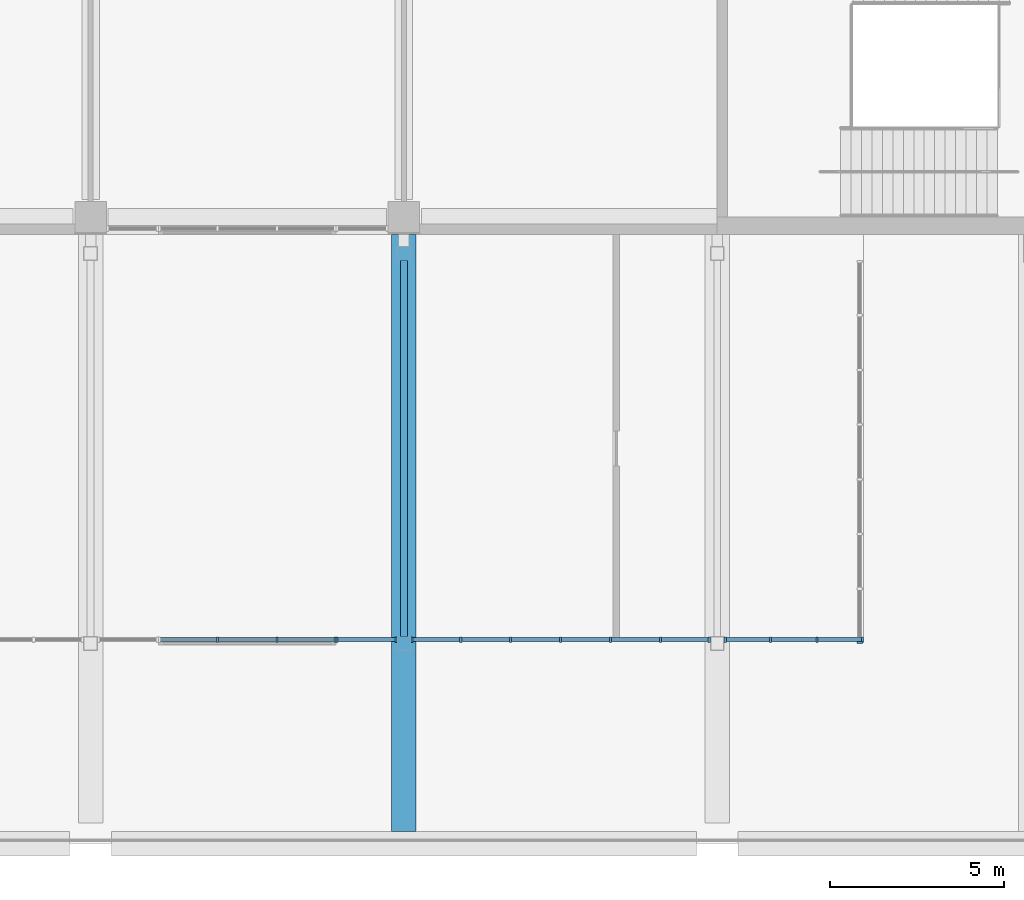
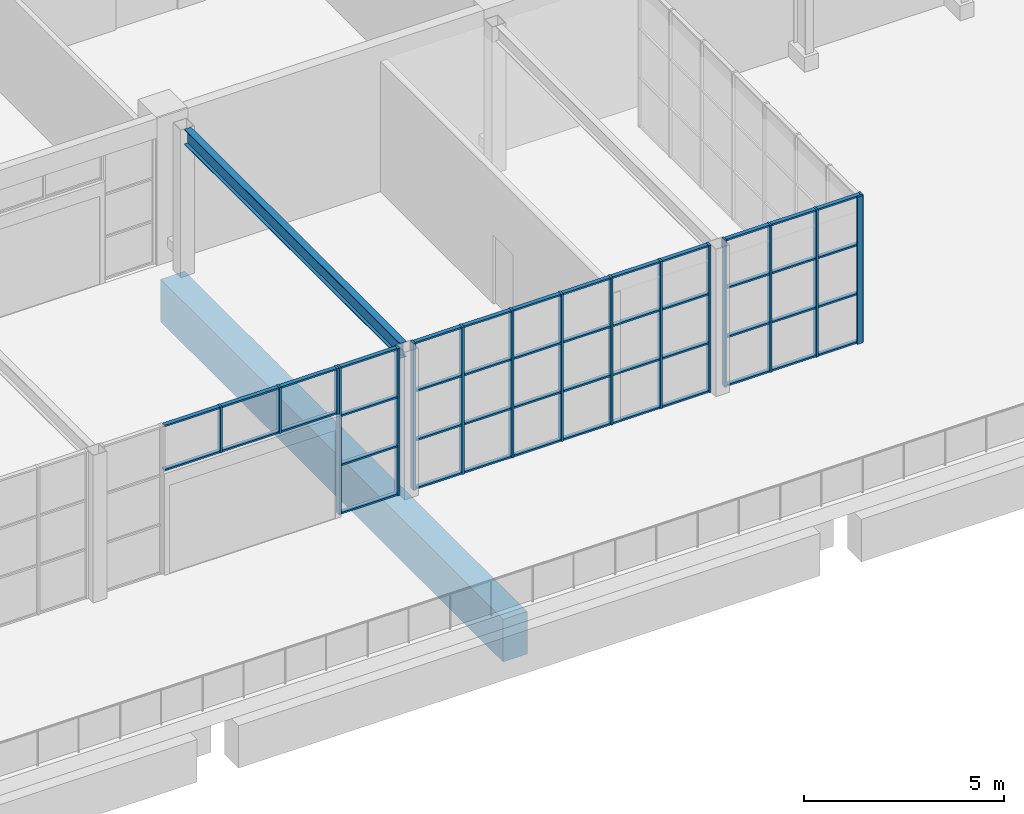
# One storey, part 43 of 168: 63 members, 2 beams, 5 elements without a shape of their own.
"""IFC4 building model written with IfcOpenShell, lengths in metres."""

from ifc_helpers import new_model, si_unit, direction, frame, origin, origin_2d, place, context, subcontext, project, spatial, rectangle, i_section, extrude, material, material_profile, profile_set, type_object, element, aggregate, save


model = new_model("IFC4")

# Units and contexts
model_context = context("Model", 3, precision=1e-05, world=origin(), true_north=direction((0.0, 1.0)))
body_context = subcontext(model_context, "Body", "Model", "MODEL_VIEW")
ifc_project = project(units=[si_unit("LENGTHUNIT", "METRE"), si_unit("AREAUNIT", "SQUARE_METRE"), si_unit("VOLUMEUNIT", "CUBIC_METRE"), si_unit("PLANEANGLEUNIT", "RADIAN"), si_unit("MASSUNIT", "GRAM", prefix="KILO")], contexts=[model_context])

# Site, building, storey
site_placement = place(None, origin())
site = spatial("IfcSite", under=ifc_project, at=site_placement, CompositionType="ELEMENT")
building_placement = place(site_placement, origin())
building = spatial("IfcBuilding", under=site, at=building_placement, Name="Silverbay Arena", CompositionType="ELEMENT")
storey_placement = place(building_placement, frame((0.0, 0.0, 7.0)))
storey = spatial("IfcBuildingStorey", under=building, at=storey_placement, Name="L01", CompositionType="ELEMENT", Elevation=7.0)

# Beam
ifc_material_1 = material(Name="Steel S355", Category="steel")
ifc_material_profile_1 = material_profile(ifc_material_1, i_section(OverallWidth=0.19287109375, OverallDepth=0.46728515625, WebThickness=0.011474609375, FlangeThickness=0.01953125, at=origin_2d()), Name="UB 457x191x98")
ifc_profile_set_1 = profile_set([ifc_material_profile_1], Name="Steel S355")
beam_type_1 = type_object("IfcBeamType", Name="Hall beam UB 457x191x98", PredefinedType="BEAM", material=ifc_profile_set_1)
beam_1_placement = place(storey_placement, frame((135.0, 16.75, 4.266357421875), z_axis=(0.0, -1.0, 0.0), x_axis=(1.0, 0.0, 0.0)))
element("IfcBeam", 1, at=beam_1_placement, inside=storey, type_object=beam_type_1, Name="South entrance hall S1 transverse beam 3L11", PredefinedType="BEAM", context=body_context, shape_type="SweptSolid", body=[
    extrude(i_section(OverallWidth=0.19287109375, OverallDepth=0.46728515625, WebThickness=0.011474609375, FlangeThickness=0.01953125, at=origin_2d()), origin(), (0.0, 0.0, 1.0), 10.800048828125),
])

# Curtain wall, members
ifc_material_2 = material(Name="Aluminium framed curtain wall", Category="aluminium")
curtain_wall_type_1 = type_object("IfcCurtainWallType", Name="Curtain wall 1750 x 4500", PredefinedType="NOTDEFINED", material=ifc_material_2)
curtain_wall_1_placement = place(storey_placement, origin())
curtain_wall_1 = element("IfcCurtainWall", 2, at=curtain_wall_1_placement, inside=storey, type_object=curtain_wall_type_1, Name="South entrance hall S1 glazing F1b", PredefinedType="NOTDEFINED")
ifc_material_3 = material(Name="Aluminium", Category="aluminium")
ifc_material_profile_2 = material_profile(ifc_material_3, rectangle(XDim=0.159912109375, YDim=0.06005859375, at=origin_2d()), Name="Mullion 60 x 160")
ifc_profile_set_2 = profile_set([ifc_material_profile_2], Name="Aluminium")
member_type_1 = type_object("IfcMemberType", Name="Mullion 60 x 160", PredefinedType="MULLION", material=ifc_profile_set_2)
member_1_placement = place(storey_placement, frame((133.080078125, 5.860107421875, 0.0), z_axis=(0.0, 0.0, 1.0), x_axis=(0.0, 1.0, 0.0)))
member_1 = element("IfcMember", 3, at=member_1_placement, type_object=member_type_1, Name="CW28 mullion 1", PredefinedType="MULLION", context=body_context, shape_type="SweptSolid", body=[
    extrude(rectangle(XDim=0.159912109375, YDim=0.06005859375, at=origin_2d()), origin(), (0.0, 0.0, 1.0), 4.5),
])
member_2_placement = place(storey_placement, frame((134.77001953125, 5.860107421875, 0.0), z_axis=(0.0, 0.0, 1.0), x_axis=(0.0, 1.0, 0.0)))
member_2 = element("IfcMember", 4, at=member_2_placement, type_object=member_type_1, Name="CW28 mullion 2", PredefinedType="MULLION", context=body_context, shape_type="SweptSolid", body=[
    extrude(rectangle(XDim=0.159912109375, YDim=0.06005859375, at=origin_2d()), origin(), (0.0, 0.0, 1.0), 4.5),
])

ifc_material_4 = material(Name="Aluminium framed curtain wall", Category="aluminium")
curtain_wall_type_2 = type_object("IfcCurtainWallType", Name="Curtain wall 8600 x 4500", PredefinedType="NOTDEFINED", material=ifc_material_4)
curtain_wall_2_placement = place(storey_placement, origin())
curtain_wall_2 = element("IfcCurtainWall", 5, at=curtain_wall_2_placement, inside=storey, type_object=curtain_wall_type_2, Name="South entrance hall S1 glazing F2", PredefinedType="NOTDEFINED")
member_3_placement = place(storey_placement, frame((135.22998046875, 5.860107421875, 0.0), z_axis=(0.0, 0.0, 1.0), x_axis=(0.0, 1.0, 0.0)))
member_3 = element("IfcMember", 6, at=member_3_placement, type_object=member_type_1, Name="CW24 mullion 1", PredefinedType="MULLION", context=body_context, shape_type="SweptSolid", body=[
    extrude(rectangle(XDim=0.159912109375, YDim=0.06005859375, at=origin_2d()), origin(), (0.0, 0.0, 1.0), 4.5),
])
member_4_placement = place(storey_placement, frame((136.63330078125, 5.860107421875, 0.0), z_axis=(0.0, 0.0, 1.0), x_axis=(0.0, 1.0, 0.0)))
member_4 = element("IfcMember", 7, at=member_4_placement, type_object=member_type_1, Name="CW24 mullion 2", PredefinedType="MULLION", context=body_context, shape_type="SweptSolid", body=[
    extrude(rectangle(XDim=0.159912109375, YDim=0.06005859375, at=origin_2d()), origin(), (0.0, 0.0, 1.0), 4.5),
])
member_5_placement = place(storey_placement, frame((138.066650390625, 5.860107421875, 0.0), z_axis=(0.0, 0.0, 1.0), x_axis=(0.0, 1.0, 0.0)))
member_5 = element("IfcMember", 8, at=member_5_placement, type_object=member_type_1, Name="CW24 mullion 3", PredefinedType="MULLION", context=body_context, shape_type="SweptSolid", body=[
    extrude(rectangle(XDim=0.159912109375, YDim=0.06005859375, at=origin_2d()), origin(), (0.0, 0.0, 1.0), 4.5),
])
member_6_placement = place(storey_placement, frame((139.5, 5.860107421875, 0.0), z_axis=(0.0, 0.0, 1.0), x_axis=(0.0, 1.0, 0.0)))
member_6 = element("IfcMember", 9, at=member_6_placement, type_object=member_type_1, Name="CW24 mullion 4", PredefinedType="MULLION", context=body_context, shape_type="SweptSolid", body=[
    extrude(rectangle(XDim=0.159912109375, YDim=0.06005859375, at=origin_2d()), origin(), (0.0, 0.0, 1.0), 4.5),
])
member_7_placement = place(storey_placement, frame((140.933349609375, 5.860107421875, 0.0), z_axis=(0.0, 0.0, 1.0), x_axis=(0.0, 1.0, 0.0)))
member_7 = element("IfcMember", 10, at=member_7_placement, type_object=member_type_1, Name="CW24 mullion 5", PredefinedType="MULLION", context=body_context, shape_type="SweptSolid", body=[
    extrude(rectangle(XDim=0.159912109375, YDim=0.06005859375, at=origin_2d()), origin(), (0.0, 0.0, 1.0), 4.5),
])
member_8_placement = place(storey_placement, frame((142.36669921875, 5.860107421875, 0.0), z_axis=(0.0, 0.0, 1.0), x_axis=(0.0, 1.0, 0.0)))
member_8 = element("IfcMember", 11, at=member_8_placement, type_object=member_type_1, Name="CW24 mullion 6", PredefinedType="MULLION", context=body_context, shape_type="SweptSolid", body=[
    extrude(rectangle(XDim=0.159912109375, YDim=0.06005859375, at=origin_2d()), origin(), (0.0, 0.0, 1.0), 4.5),
])
member_9_placement = place(storey_placement, frame((143.77001953125, 5.860107421875, 0.0), z_axis=(0.0, 0.0, 1.0), x_axis=(0.0, 1.0, 0.0)))
member_9 = element("IfcMember", 12, at=member_9_placement, type_object=member_type_1, Name="CW24 mullion 7", PredefinedType="MULLION", context=body_context, shape_type="SweptSolid", body=[
    extrude(rectangle(XDim=0.159912109375, YDim=0.06005859375, at=origin_2d()), origin(), (0.0, 0.0, 1.0), 4.5),
])

ifc_material_5 = material(Name="Aluminium framed curtain wall", Category="aluminium")
curtain_wall_type_3 = type_object("IfcCurtainWallType", Name="Curtain wall 4000 x 4500", PredefinedType="NOTDEFINED", material=ifc_material_5)
curtain_wall_3_placement = place(storey_placement, origin())
curtain_wall_3 = element("IfcCurtainWall", 13, at=curtain_wall_3_placement, inside=storey, type_object=curtain_wall_type_3, Name="South entrance hall S1 glazing F-b", PredefinedType="NOTDEFINED")
member_10_placement = place(storey_placement, frame((144.22998046875, 5.860107421875, 0.0), z_axis=(0.0, 0.0, 1.0), x_axis=(0.0, 1.0, 0.0)))
member_10 = element("IfcMember", 14, at=member_10_placement, type_object=member_type_1, Name="CW32 mullion 1", PredefinedType="MULLION", context=body_context, shape_type="SweptSolid", body=[
    extrude(rectangle(XDim=0.159912109375, YDim=0.06005859375, at=origin_2d()), origin(), (0.0, 0.0, 1.0), 4.5),
])
member_11_placement = place(storey_placement, frame((145.533447265625, 5.860107421875, 0.0), z_axis=(0.0, 0.0, 1.0), x_axis=(0.0, 1.0, 0.0)))
member_11 = element("IfcMember", 15, at=member_11_placement, type_object=member_type_1, Name="CW32 mullion 2", PredefinedType="MULLION", context=body_context, shape_type="SweptSolid", body=[
    extrude(rectangle(XDim=0.159912109375, YDim=0.06005859375, at=origin_2d()), origin(), (0.0, 0.0, 1.0), 4.5),
])
member_12_placement = place(storey_placement, frame((146.86669921875, 5.860107421875, 0.0), z_axis=(0.0, 0.0, 1.0), x_axis=(0.0, 1.0, 0.0)))
member_12 = element("IfcMember", 16, at=member_12_placement, type_object=member_type_1, Name="CW32 mullion 3", PredefinedType="MULLION", context=body_context, shape_type="SweptSolid", body=[
    extrude(rectangle(XDim=0.159912109375, YDim=0.06005859375, at=origin_2d()), origin(), (0.0, 0.0, 1.0), 4.5),
])
member_13_placement = place(storey_placement, frame((148.169921875, 5.860107421875, 0.0), z_axis=(0.0, 0.0, 1.0), x_axis=(0.0, 1.0, 0.0)))
member_13 = element("IfcMember", 17, at=member_13_placement, type_object=member_type_1, Name="CW32 mullion 4", PredefinedType="MULLION", context=body_context, shape_type="SweptSolid", body=[
    extrude(rectangle(XDim=0.159912109375, YDim=0.06005859375, at=origin_2d()), origin(), (0.0, 0.0, 1.0), 4.5),
])

# Curtain wall, member
ifc_material_6 = material(Name="Aluminium framed curtain wall", Category="aluminium")
curtain_wall_type_4 = type_object("IfcCurtainWallType", Name="Curtain wall 11000 x 4500", PredefinedType="NOTDEFINED", material=ifc_material_6)
curtain_wall_4_placement = place(storey_placement, origin())
curtain_wall_4 = element("IfcCurtainWall", 18, at=curtain_wall_4_placement, inside=storey, type_object=curtain_wall_type_4, Name="South entrance hall S1 glazing SB", PredefinedType="NOTDEFINED")
member_14_placement = place(storey_placement, frame((148.090087890625, 5.780029296875, 0.0), z_axis=(0.0, 0.0, 1.0), x_axis=(-1.0, 0.0, 0.0)))
member_14 = element("IfcMember", 19, at=member_14_placement, type_object=member_type_1, Name="CW36 mullion 1", PredefinedType="MULLION", context=body_context, shape_type="SweptSolid", body=[
    extrude(rectangle(XDim=0.159912109375, YDim=0.06005859375, at=origin_2d()), origin(), (0.0, 0.0, 1.0), 4.5),
])
aggregate(curtain_wall_4, [member_14])

# Curtain wall, members
ifc_material_7 = material(Name="Aluminium framed curtain wall", Category="aluminium")
curtain_wall_type_5 = type_object("IfcCurtainWallType", Name="Curtain wall 5100 x 1400", PredefinedType="NOTDEFINED", material=ifc_material_7)
curtain_wall_5_placement = place(storey_placement, origin())
curtain_wall_5 = element("IfcCurtainWall", 20, at=curtain_wall_5_placement, inside=storey, type_object=curtain_wall_type_5, Name="South entrance hall S1 glazing over the door", PredefinedType="NOTDEFINED")
member_15_placement = place(storey_placement, frame((129.64990234375, 5.860107421875, 3.10009765625), z_axis=(0.0, 0.0, 1.0), x_axis=(0.0, 1.0, 0.0)))
member_15 = element("IfcMember", 21, at=member_15_placement, type_object=member_type_1, Name="CW39 mullion 2", PredefinedType="MULLION", context=body_context, shape_type="SweptSolid", body=[
    extrude(rectangle(XDim=0.159912109375, YDim=0.06005859375, at=origin_2d()), origin(), (0.0, 0.0, 1.0), 1.39990234375),
])
member_16_placement = place(storey_placement, frame((131.35009765625, 5.860107421875, 3.10009765625), z_axis=(0.0, 0.0, 1.0), x_axis=(0.0, 1.0, 0.0)))
member_16 = element("IfcMember", 22, at=member_16_placement, type_object=member_type_1, Name="CW39 mullion 3", PredefinedType="MULLION", context=body_context, shape_type="SweptSolid", body=[
    extrude(rectangle(XDim=0.159912109375, YDim=0.06005859375, at=origin_2d()), origin(), (0.0, 0.0, 1.0), 1.39990234375),
])
member_17_placement = place(storey_placement, frame((133.02001953125, 5.860107421875, 3.10009765625), z_axis=(0.0, 0.0, 1.0), x_axis=(0.0, 1.0, 0.0)))
member_17 = element("IfcMember", 23, at=member_17_placement, type_object=member_type_1, Name="CW39 mullion 4", PredefinedType="MULLION", context=body_context, shape_type="SweptSolid", body=[
    extrude(rectangle(XDim=0.159912109375, YDim=0.06005859375, at=origin_2d()), origin(), (0.0, 0.0, 1.0), 1.39990234375),
])

# Beam
ifc_material_8 = material(Name="Concrete Grade C45", Category="concrete")
ifc_material_profile_3 = material_profile(ifc_material_8, rectangle(XDim=0.699951171875, YDim=1.300048828125, at=origin_2d()), Name="RC 700x1300")
ifc_profile_set_3 = profile_set([ifc_material_profile_3], Name="Concrete Grade C45")
beam_type_2 = type_object("IfcBeamType", Name="RC girder 700x1300", PredefinedType="BEAM", material=ifc_profile_set_3)
beam_2_placement = place(storey_placement, frame((135.0, 0.35009765625, -1.10009765625), z_axis=(0.0, 1.0, 0.0), x_axis=(-1.0, 0.0, 0.0)))
element("IfcBeam", 24, at=beam_2_placement, inside=storey, type_object=beam_type_2, Name="Deck secondary beam 121", PredefinedType="BEAM", context=body_context, shape_type="SweptSolid", body=[
    extrude(rectangle(XDim=0.699951171875, YDim=1.300048828125, at=origin_2d()), origin(), (0.0, 0.0, 1.0), 17.14990234375),
])

# Member
ifc_material_9 = material(Name="Aluminium", Category="aluminium")
ifc_material_profile_4 = material_profile(ifc_material_9, rectangle(XDim=0.1201171875, YDim=0.050048828125, at=origin_2d()), Name="Transom 50 x 120")
ifc_profile_set_4 = profile_set([ifc_material_profile_4], Name="Aluminium")
member_type_2 = type_object("IfcMemberType", Name="Transom 50 x 120", PredefinedType="USERDEFINED", material=ifc_profile_set_4)
member_18_placement = place(storey_placement, frame((133.110107421875, 5.860107421875, 0.02490234375), z_axis=(1.0, 0.0, 0.0), x_axis=(0.0, 1.0, 0.0)))
member_18 = element("IfcMember", 25, at=member_18_placement, type_object=member_type_2, Name="CW28 transom 1.1", ObjectType="TRANSOM", PredefinedType="USERDEFINED", context=body_context, shape_type="SweptSolid", body=[
    extrude(rectangle(XDim=0.1201171875, YDim=0.050048828125, at=origin_2d()), origin(), (0.0, 0.0, 1.0), 1.6298828125),
])

member_19_placement = place(storey_placement, frame((133.110107421875, 5.860107421875, 1.5), z_axis=(1.0, 0.0, 0.0), x_axis=(0.0, 1.0, 0.0)))
member_19 = element("IfcMember", 26, at=member_19_placement, type_object=member_type_2, Name="CW28 transom 1.2", ObjectType="TRANSOM", PredefinedType="USERDEFINED", context=body_context, shape_type="SweptSolid", body=[
    extrude(rectangle(XDim=0.1201171875, YDim=0.050048828125, at=origin_2d()), origin(), (0.0, 0.0, 1.0), 1.6298828125),
])

member_20_placement = place(storey_placement, frame((133.110107421875, 5.860107421875, 3.0), z_axis=(1.0, 0.0, 0.0), x_axis=(0.0, 1.0, 0.0)))
member_20 = element("IfcMember", 27, at=member_20_placement, type_object=member_type_2, Name="CW28 transom 1.3", ObjectType="TRANSOM", PredefinedType="USERDEFINED", context=body_context, shape_type="SweptSolid", body=[
    extrude(rectangle(XDim=0.1201171875, YDim=0.050048828125, at=origin_2d()), origin(), (0.0, 0.0, 1.0), 1.6298828125),
])

member_21_placement = place(storey_placement, frame((133.110107421875, 5.860107421875, 4.47509765625), z_axis=(1.0, 0.0, 0.0), x_axis=(0.0, 1.0, 0.0)))
member_21 = element("IfcMember", 28, at=member_21_placement, type_object=member_type_2, Name="CW28 transom 1.4", ObjectType="TRANSOM", PredefinedType="USERDEFINED", context=body_context, shape_type="SweptSolid", body=[
    extrude(rectangle(XDim=0.1201171875, YDim=0.050048828125, at=origin_2d()), origin(), (0.0, 0.0, 1.0), 1.6298828125),
])

aggregate(curtain_wall_1, [member_1, member_2, member_18, member_19, member_20, member_21])

member_22_placement = place(storey_placement, frame((135.260009765625, 5.860107421875, 0.02490234375), z_axis=(1.0, 0.0, 0.0), x_axis=(0.0, 1.0, 0.0)))
member_22 = element("IfcMember", 29, at=member_22_placement, type_object=member_type_2, Name="CW24 transom 1.1", ObjectType="TRANSOM", PredefinedType="USERDEFINED", context=body_context, shape_type="SweptSolid", body=[
    extrude(rectangle(XDim=0.1201171875, YDim=0.050048828125, at=origin_2d()), origin(), (0.0, 0.0, 1.0), 1.34326171875),
])

member_23_placement = place(storey_placement, frame((135.260009765625, 5.860107421875, 1.5), z_axis=(1.0, 0.0, 0.0), x_axis=(0.0, 1.0, 0.0)))
member_23 = element("IfcMember", 30, at=member_23_placement, type_object=member_type_2, Name="CW24 transom 1.2", ObjectType="TRANSOM", PredefinedType="USERDEFINED", context=body_context, shape_type="SweptSolid", body=[
    extrude(rectangle(XDim=0.1201171875, YDim=0.050048828125, at=origin_2d()), origin(), (0.0, 0.0, 1.0), 1.34326171875),
])

member_24_placement = place(storey_placement, frame((135.260009765625, 5.860107421875, 3.0), z_axis=(1.0, 0.0, 0.0), x_axis=(0.0, 1.0, 0.0)))
member_24 = element("IfcMember", 31, at=member_24_placement, type_object=member_type_2, Name="CW24 transom 1.3", ObjectType="TRANSOM", PredefinedType="USERDEFINED", context=body_context, shape_type="SweptSolid", body=[
    extrude(rectangle(XDim=0.1201171875, YDim=0.050048828125, at=origin_2d()), origin(), (0.0, 0.0, 1.0), 1.34326171875),
])

member_25_placement = place(storey_placement, frame((135.260009765625, 5.860107421875, 4.47509765625), z_axis=(1.0, 0.0, 0.0), x_axis=(0.0, 1.0, 0.0)))
member_25 = element("IfcMember", 32, at=member_25_placement, type_object=member_type_2, Name="CW24 transom 1.4", ObjectType="TRANSOM", PredefinedType="USERDEFINED", context=body_context, shape_type="SweptSolid", body=[
    extrude(rectangle(XDim=0.1201171875, YDim=0.050048828125, at=origin_2d()), origin(), (0.0, 0.0, 1.0), 1.34326171875),
])

member_26_placement = place(storey_placement, frame((136.663330078125, 5.860107421875, 0.02490234375), z_axis=(1.0, 0.0, 0.0), x_axis=(0.0, 1.0, 0.0)))
member_26 = element("IfcMember", 33, at=member_26_placement, type_object=member_type_2, Name="CW24 transom 2.1", ObjectType="TRANSOM", PredefinedType="USERDEFINED", context=body_context, shape_type="SweptSolid", body=[
    extrude(rectangle(XDim=0.1201171875, YDim=0.050048828125, at=origin_2d()), origin(), (0.0, 0.0, 1.0), 1.373291015625),
])

member_27_placement = place(storey_placement, frame((136.663330078125, 5.860107421875, 1.5), z_axis=(1.0, 0.0, 0.0), x_axis=(0.0, 1.0, 0.0)))
member_27 = element("IfcMember", 34, at=member_27_placement, type_object=member_type_2, Name="CW24 transom 2.2", ObjectType="TRANSOM", PredefinedType="USERDEFINED", context=body_context, shape_type="SweptSolid", body=[
    extrude(rectangle(XDim=0.1201171875, YDim=0.050048828125, at=origin_2d()), origin(), (0.0, 0.0, 1.0), 1.373291015625),
])

member_28_placement = place(storey_placement, frame((136.663330078125, 5.860107421875, 3.0), z_axis=(1.0, 0.0, 0.0), x_axis=(0.0, 1.0, 0.0)))
member_28 = element("IfcMember", 35, at=member_28_placement, type_object=member_type_2, Name="CW24 transom 2.3", ObjectType="TRANSOM", PredefinedType="USERDEFINED", context=body_context, shape_type="SweptSolid", body=[
    extrude(rectangle(XDim=0.1201171875, YDim=0.050048828125, at=origin_2d()), origin(), (0.0, 0.0, 1.0), 1.373291015625),
])

member_29_placement = place(storey_placement, frame((136.663330078125, 5.860107421875, 4.47509765625), z_axis=(1.0, 0.0, 0.0), x_axis=(0.0, 1.0, 0.0)))
member_29 = element("IfcMember", 36, at=member_29_placement, type_object=member_type_2, Name="CW24 transom 2.4", ObjectType="TRANSOM", PredefinedType="USERDEFINED", context=body_context, shape_type="SweptSolid", body=[
    extrude(rectangle(XDim=0.1201171875, YDim=0.050048828125, at=origin_2d()), origin(), (0.0, 0.0, 1.0), 1.373291015625),
])

member_30_placement = place(storey_placement, frame((138.0966796875, 5.860107421875, 0.02490234375), z_axis=(1.0, 0.0, 0.0), x_axis=(0.0, 1.0, 0.0)))
member_30 = element("IfcMember", 37, at=member_30_placement, type_object=member_type_2, Name="CW24 transom 3.1", ObjectType="TRANSOM", PredefinedType="USERDEFINED", context=body_context, shape_type="SweptSolid", body=[
    extrude(rectangle(XDim=0.1201171875, YDim=0.050048828125, at=origin_2d()), origin(), (0.0, 0.0, 1.0), 1.373291015625),
])

member_31_placement = place(storey_placement, frame((138.0966796875, 5.860107421875, 1.5), z_axis=(1.0, 0.0, 0.0), x_axis=(0.0, 1.0, 0.0)))
member_31 = element("IfcMember", 38, at=member_31_placement, type_object=member_type_2, Name="CW24 transom 3.2", ObjectType="TRANSOM", PredefinedType="USERDEFINED", context=body_context, shape_type="SweptSolid", body=[
    extrude(rectangle(XDim=0.1201171875, YDim=0.050048828125, at=origin_2d()), origin(), (0.0, 0.0, 1.0), 1.373291015625),
])

member_32_placement = place(storey_placement, frame((138.0966796875, 5.860107421875, 3.0), z_axis=(1.0, 0.0, 0.0), x_axis=(0.0, 1.0, 0.0)))
member_32 = element("IfcMember", 39, at=member_32_placement, type_object=member_type_2, Name="CW24 transom 3.3", ObjectType="TRANSOM", PredefinedType="USERDEFINED", context=body_context, shape_type="SweptSolid", body=[
    extrude(rectangle(XDim=0.1201171875, YDim=0.050048828125, at=origin_2d()), origin(), (0.0, 0.0, 1.0), 1.373291015625),
])

member_33_placement = place(storey_placement, frame((138.0966796875, 5.860107421875, 4.47509765625), z_axis=(1.0, 0.0, 0.0), x_axis=(0.0, 1.0, 0.0)))
member_33 = element("IfcMember", 40, at=member_33_placement, type_object=member_type_2, Name="CW24 transom 3.4", ObjectType="TRANSOM", PredefinedType="USERDEFINED", context=body_context, shape_type="SweptSolid", body=[
    extrude(rectangle(XDim=0.1201171875, YDim=0.050048828125, at=origin_2d()), origin(), (0.0, 0.0, 1.0), 1.373291015625),
])

member_34_placement = place(storey_placement, frame((139.530029296875, 5.860107421875, 0.02490234375), z_axis=(1.0, 0.0, 0.0), x_axis=(0.0, 1.0, 0.0)))
member_34 = element("IfcMember", 41, at=member_34_placement, type_object=member_type_2, Name="CW24 transom 4.1", ObjectType="TRANSOM", PredefinedType="USERDEFINED", context=body_context, shape_type="SweptSolid", body=[
    extrude(rectangle(XDim=0.1201171875, YDim=0.050048828125, at=origin_2d()), origin(), (0.0, 0.0, 1.0), 1.373291015625),
])

member_35_placement = place(storey_placement, frame((139.530029296875, 5.860107421875, 1.5), z_axis=(1.0, 0.0, 0.0), x_axis=(0.0, 1.0, 0.0)))
member_35 = element("IfcMember", 42, at=member_35_placement, type_object=member_type_2, Name="CW24 transom 4.2", ObjectType="TRANSOM", PredefinedType="USERDEFINED", context=body_context, shape_type="SweptSolid", body=[
    extrude(rectangle(XDim=0.1201171875, YDim=0.050048828125, at=origin_2d()), origin(), (0.0, 0.0, 1.0), 1.373291015625),
])

member_36_placement = place(storey_placement, frame((139.530029296875, 5.860107421875, 3.0), z_axis=(1.0, 0.0, 0.0), x_axis=(0.0, 1.0, 0.0)))
member_36 = element("IfcMember", 43, at=member_36_placement, type_object=member_type_2, Name="CW24 transom 4.3", ObjectType="TRANSOM", PredefinedType="USERDEFINED", context=body_context, shape_type="SweptSolid", body=[
    extrude(rectangle(XDim=0.1201171875, YDim=0.050048828125, at=origin_2d()), origin(), (0.0, 0.0, 1.0), 1.373291015625),
])

member_37_placement = place(storey_placement, frame((139.530029296875, 5.860107421875, 4.47509765625), z_axis=(1.0, 0.0, 0.0), x_axis=(0.0, 1.0, 0.0)))
member_37 = element("IfcMember", 44, at=member_37_placement, type_object=member_type_2, Name="CW24 transom 4.4", ObjectType="TRANSOM", PredefinedType="USERDEFINED", context=body_context, shape_type="SweptSolid", body=[
    extrude(rectangle(XDim=0.1201171875, YDim=0.050048828125, at=origin_2d()), origin(), (0.0, 0.0, 1.0), 1.373291015625),
])

member_38_placement = place(storey_placement, frame((140.96337890625, 5.860107421875, 0.02490234375), z_axis=(1.0, 0.0, 0.0), x_axis=(0.0, 1.0, 0.0)))
member_38 = element("IfcMember", 45, at=member_38_placement, type_object=member_type_2, Name="CW24 transom 5.1", ObjectType="TRANSOM", PredefinedType="USERDEFINED", context=body_context, shape_type="SweptSolid", body=[
    extrude(rectangle(XDim=0.1201171875, YDim=0.050048828125, at=origin_2d()), origin(), (0.0, 0.0, 1.0), 1.373291015625),
])

member_39_placement = place(storey_placement, frame((140.96337890625, 5.860107421875, 1.5), z_axis=(1.0, 0.0, 0.0), x_axis=(0.0, 1.0, 0.0)))
member_39 = element("IfcMember", 46, at=member_39_placement, type_object=member_type_2, Name="CW24 transom 5.2", ObjectType="TRANSOM", PredefinedType="USERDEFINED", context=body_context, shape_type="SweptSolid", body=[
    extrude(rectangle(XDim=0.1201171875, YDim=0.050048828125, at=origin_2d()), origin(), (0.0, 0.0, 1.0), 1.373291015625),
])

member_40_placement = place(storey_placement, frame((140.96337890625, 5.860107421875, 3.0), z_axis=(1.0, 0.0, 0.0), x_axis=(0.0, 1.0, 0.0)))
member_40 = element("IfcMember", 47, at=member_40_placement, type_object=member_type_2, Name="CW24 transom 5.3", ObjectType="TRANSOM", PredefinedType="USERDEFINED", context=body_context, shape_type="SweptSolid", body=[
    extrude(rectangle(XDim=0.1201171875, YDim=0.050048828125, at=origin_2d()), origin(), (0.0, 0.0, 1.0), 1.373291015625),
])

member_41_placement = place(storey_placement, frame((140.96337890625, 5.860107421875, 4.47509765625), z_axis=(1.0, 0.0, 0.0), x_axis=(0.0, 1.0, 0.0)))
member_41 = element("IfcMember", 48, at=member_41_placement, type_object=member_type_2, Name="CW24 transom 5.4", ObjectType="TRANSOM", PredefinedType="USERDEFINED", context=body_context, shape_type="SweptSolid", body=[
    extrude(rectangle(XDim=0.1201171875, YDim=0.050048828125, at=origin_2d()), origin(), (0.0, 0.0, 1.0), 1.373291015625),
])

member_42_placement = place(storey_placement, frame((142.396728515625, 5.860107421875, 0.02490234375), z_axis=(1.0, 0.0, 0.0), x_axis=(0.0, 1.0, 0.0)))
member_42 = element("IfcMember", 49, at=member_42_placement, type_object=member_type_2, Name="CW24 transom 6.1", ObjectType="TRANSOM", PredefinedType="USERDEFINED", context=body_context, shape_type="SweptSolid", body=[
    extrude(rectangle(XDim=0.1201171875, YDim=0.050048828125, at=origin_2d()), origin(), (0.0, 0.0, 1.0), 1.34326171875),
])

member_43_placement = place(storey_placement, frame((142.396728515625, 5.860107421875, 1.5), z_axis=(1.0, 0.0, 0.0), x_axis=(0.0, 1.0, 0.0)))
member_43 = element("IfcMember", 50, at=member_43_placement, type_object=member_type_2, Name="CW24 transom 6.2", ObjectType="TRANSOM", PredefinedType="USERDEFINED", context=body_context, shape_type="SweptSolid", body=[
    extrude(rectangle(XDim=0.1201171875, YDim=0.050048828125, at=origin_2d()), origin(), (0.0, 0.0, 1.0), 1.34326171875),
])

member_44_placement = place(storey_placement, frame((142.396728515625, 5.860107421875, 3.0), z_axis=(1.0, 0.0, 0.0), x_axis=(0.0, 1.0, 0.0)))
member_44 = element("IfcMember", 51, at=member_44_placement, type_object=member_type_2, Name="CW24 transom 6.3", ObjectType="TRANSOM", PredefinedType="USERDEFINED", context=body_context, shape_type="SweptSolid", body=[
    extrude(rectangle(XDim=0.1201171875, YDim=0.050048828125, at=origin_2d()), origin(), (0.0, 0.0, 1.0), 1.34326171875),
])

member_45_placement = place(storey_placement, frame((142.396728515625, 5.860107421875, 4.47509765625), z_axis=(1.0, 0.0, 0.0), x_axis=(0.0, 1.0, 0.0)))
member_45 = element("IfcMember", 52, at=member_45_placement, type_object=member_type_2, Name="CW24 transom 6.4", ObjectType="TRANSOM", PredefinedType="USERDEFINED", context=body_context, shape_type="SweptSolid", body=[
    extrude(rectangle(XDim=0.1201171875, YDim=0.050048828125, at=origin_2d()), origin(), (0.0, 0.0, 1.0), 1.34326171875),
])

aggregate(curtain_wall_2, [member_3, member_4, member_5, member_6, member_7, member_8, member_9, member_22, member_23, member_24, member_25, member_26, member_27, member_28, member_29, member_30, member_31, member_32, member_33, member_34, member_35, member_36, member_37, member_38, member_39, member_40, member_41, member_42, member_43, member_44, member_45])

member_46_placement = place(storey_placement, frame((144.260009765625, 5.860107421875, 0.02490234375), z_axis=(1.0, 0.0, 0.0), x_axis=(0.0, 1.0, 0.0)))
member_46 = element("IfcMember", 53, at=member_46_placement, type_object=member_type_2, Name="CW32 transom 1.1", ObjectType="TRANSOM", PredefinedType="USERDEFINED", context=body_context, shape_type="SweptSolid", body=[
    extrude(rectangle(XDim=0.1201171875, YDim=0.050048828125, at=origin_2d()), origin(), (0.0, 0.0, 1.0), 1.243408203125),
])

member_47_placement = place(storey_placement, frame((144.260009765625, 5.860107421875, 1.5), z_axis=(1.0, 0.0, 0.0), x_axis=(0.0, 1.0, 0.0)))
member_47 = element("IfcMember", 54, at=member_47_placement, type_object=member_type_2, Name="CW32 transom 1.2", ObjectType="TRANSOM", PredefinedType="USERDEFINED", context=body_context, shape_type="SweptSolid", body=[
    extrude(rectangle(XDim=0.1201171875, YDim=0.050048828125, at=origin_2d()), origin(), (0.0, 0.0, 1.0), 1.243408203125),
])

member_48_placement = place(storey_placement, frame((144.260009765625, 5.860107421875, 3.0), z_axis=(1.0, 0.0, 0.0), x_axis=(0.0, 1.0, 0.0)))
member_48 = element("IfcMember", 55, at=member_48_placement, type_object=member_type_2, Name="CW32 transom 1.3", ObjectType="TRANSOM", PredefinedType="USERDEFINED", context=body_context, shape_type="SweptSolid", body=[
    extrude(rectangle(XDim=0.1201171875, YDim=0.050048828125, at=origin_2d()), origin(), (0.0, 0.0, 1.0), 1.243408203125),
])

member_49_placement = place(storey_placement, frame((144.260009765625, 5.860107421875, 4.47509765625), z_axis=(1.0, 0.0, 0.0), x_axis=(0.0, 1.0, 0.0)))
member_49 = element("IfcMember", 56, at=member_49_placement, type_object=member_type_2, Name="CW32 transom 1.4", ObjectType="TRANSOM", PredefinedType="USERDEFINED", context=body_context, shape_type="SweptSolid", body=[
    extrude(rectangle(XDim=0.1201171875, YDim=0.050048828125, at=origin_2d()), origin(), (0.0, 0.0, 1.0), 1.243408203125),
])

member_50_placement = place(storey_placement, frame((145.563232421875, 5.860107421875, 0.02490234375), z_axis=(1.0, 0.0, 0.0), x_axis=(0.0, 1.0, 0.0)))
member_50 = element("IfcMember", 57, at=member_50_placement, type_object=member_type_2, Name="CW32 transom 2.1", ObjectType="TRANSOM", PredefinedType="USERDEFINED", context=body_context, shape_type="SweptSolid", body=[
    extrude(rectangle(XDim=0.1201171875, YDim=0.050048828125, at=origin_2d()), origin(), (0.0, 0.0, 1.0), 1.2734375),
])

member_51_placement = place(storey_placement, frame((145.563232421875, 5.860107421875, 1.5), z_axis=(1.0, 0.0, 0.0), x_axis=(0.0, 1.0, 0.0)))
member_51 = element("IfcMember", 58, at=member_51_placement, type_object=member_type_2, Name="CW32 transom 2.2", ObjectType="TRANSOM", PredefinedType="USERDEFINED", context=body_context, shape_type="SweptSolid", body=[
    extrude(rectangle(XDim=0.1201171875, YDim=0.050048828125, at=origin_2d()), origin(), (0.0, 0.0, 1.0), 1.2734375),
])

member_52_placement = place(storey_placement, frame((145.563232421875, 5.860107421875, 3.0), z_axis=(1.0, 0.0, 0.0), x_axis=(0.0, 1.0, 0.0)))
member_52 = element("IfcMember", 59, at=member_52_placement, type_object=member_type_2, Name="CW32 transom 2.3", ObjectType="TRANSOM", PredefinedType="USERDEFINED", context=body_context, shape_type="SweptSolid", body=[
    extrude(rectangle(XDim=0.1201171875, YDim=0.050048828125, at=origin_2d()), origin(), (0.0, 0.0, 1.0), 1.2734375),
])

member_53_placement = place(storey_placement, frame((145.563232421875, 5.860107421875, 4.47509765625), z_axis=(1.0, 0.0, 0.0), x_axis=(0.0, 1.0, 0.0)))
member_53 = element("IfcMember", 60, at=member_53_placement, type_object=member_type_2, Name="CW32 transom 2.4", ObjectType="TRANSOM", PredefinedType="USERDEFINED", context=body_context, shape_type="SweptSolid", body=[
    extrude(rectangle(XDim=0.1201171875, YDim=0.050048828125, at=origin_2d()), origin(), (0.0, 0.0, 1.0), 1.2734375),
])

member_54_placement = place(storey_placement, frame((146.896728515625, 5.860107421875, 0.02490234375), z_axis=(1.0, 0.0, 0.0), x_axis=(0.0, 1.0, 0.0)))
member_54 = element("IfcMember", 61, at=member_54_placement, type_object=member_type_2, Name="CW32 transom 3.1", ObjectType="TRANSOM", PredefinedType="USERDEFINED", context=body_context, shape_type="SweptSolid", body=[
    extrude(rectangle(XDim=0.1201171875, YDim=0.050048828125, at=origin_2d()), origin(), (0.0, 0.0, 1.0), 1.2431640625),
])

member_55_placement = place(storey_placement, frame((146.896728515625, 5.860107421875, 1.5), z_axis=(1.0, 0.0, 0.0), x_axis=(0.0, 1.0, 0.0)))
member_55 = element("IfcMember", 62, at=member_55_placement, type_object=member_type_2, Name="CW32 transom 3.2", ObjectType="TRANSOM", PredefinedType="USERDEFINED", context=body_context, shape_type="SweptSolid", body=[
    extrude(rectangle(XDim=0.1201171875, YDim=0.050048828125, at=origin_2d()), origin(), (0.0, 0.0, 1.0), 1.2431640625),
])

member_56_placement = place(storey_placement, frame((146.896728515625, 5.860107421875, 3.0), z_axis=(1.0, 0.0, 0.0), x_axis=(0.0, 1.0, 0.0)))
member_56 = element("IfcMember", 63, at=member_56_placement, type_object=member_type_2, Name="CW32 transom 3.3", ObjectType="TRANSOM", PredefinedType="USERDEFINED", context=body_context, shape_type="SweptSolid", body=[
    extrude(rectangle(XDim=0.1201171875, YDim=0.050048828125, at=origin_2d()), origin(), (0.0, 0.0, 1.0), 1.2431640625),
])

member_57_placement = place(storey_placement, frame((146.896728515625, 5.860107421875, 4.47509765625), z_axis=(1.0, 0.0, 0.0), x_axis=(0.0, 1.0, 0.0)))
member_57 = element("IfcMember", 64, at=member_57_placement, type_object=member_type_2, Name="CW32 transom 3.4", ObjectType="TRANSOM", PredefinedType="USERDEFINED", context=body_context, shape_type="SweptSolid", body=[
    extrude(rectangle(XDim=0.1201171875, YDim=0.050048828125, at=origin_2d()), origin(), (0.0, 0.0, 1.0), 1.2431640625),
])

aggregate(curtain_wall_3, [member_10, member_11, member_12, member_13, member_46, member_47, member_48, member_49, member_50, member_51, member_52, member_53, member_54, member_55, member_56, member_57])

member_58_placement = place(storey_placement, frame((128.010009765625, 5.860107421875, 3.125), z_axis=(1.0, 0.0, 0.0), x_axis=(0.0, 1.0, 0.0)))
member_58 = element("IfcMember", 65, at=member_58_placement, type_object=member_type_2, Name="CW39 transom 1.1", ObjectType="TRANSOM", PredefinedType="USERDEFINED", context=body_context, shape_type="SweptSolid", body=[
    extrude(rectangle(XDim=0.1201171875, YDim=0.050048828125, at=origin_2d()), origin(), (0.0, 0.0, 1.0), 1.610107421875),
])

member_59_placement = place(storey_placement, frame((128.010009765625, 5.860107421875, 4.47509765625), z_axis=(1.0, 0.0, 0.0), x_axis=(0.0, 1.0, 0.0)))
member_59 = element("IfcMember", 66, at=member_59_placement, type_object=member_type_2, Name="CW39 transom 1.2", ObjectType="TRANSOM", PredefinedType="USERDEFINED", context=body_context, shape_type="SweptSolid", body=[
    extrude(rectangle(XDim=0.1201171875, YDim=0.050048828125, at=origin_2d()), origin(), (0.0, 0.0, 1.0), 1.610107421875),
])

member_60_placement = place(storey_placement, frame((129.679931640625, 5.860107421875, 3.125), z_axis=(1.0, 0.0, 0.0), x_axis=(0.0, 1.0, 0.0)))
member_60 = element("IfcMember", 67, at=member_60_placement, type_object=member_type_2, Name="CW39 transom 2.1", ObjectType="TRANSOM", PredefinedType="USERDEFINED", context=body_context, shape_type="SweptSolid", body=[
    extrude(rectangle(XDim=0.1201171875, YDim=0.050048828125, at=origin_2d()), origin(), (0.0, 0.0, 1.0), 1.64013671875),
])

member_61_placement = place(storey_placement, frame((129.679931640625, 5.860107421875, 4.47509765625), z_axis=(1.0, 0.0, 0.0), x_axis=(0.0, 1.0, 0.0)))
member_61 = element("IfcMember", 68, at=member_61_placement, type_object=member_type_2, Name="CW39 transom 2.2", ObjectType="TRANSOM", PredefinedType="USERDEFINED", context=body_context, shape_type="SweptSolid", body=[
    extrude(rectangle(XDim=0.1201171875, YDim=0.050048828125, at=origin_2d()), origin(), (0.0, 0.0, 1.0), 1.64013671875),
])

member_62_placement = place(storey_placement, frame((131.3798828125, 5.860107421875, 3.125), z_axis=(1.0, 0.0, 0.0), x_axis=(0.0, 1.0, 0.0)))
member_62 = element("IfcMember", 69, at=member_62_placement, type_object=member_type_2, Name="CW39 transom 3.1", ObjectType="TRANSOM", PredefinedType="USERDEFINED", context=body_context, shape_type="SweptSolid", body=[
    extrude(rectangle(XDim=0.1201171875, YDim=0.050048828125, at=origin_2d()), origin(), (0.0, 0.0, 1.0), 1.610107421875),
])

member_63_placement = place(storey_placement, frame((131.3798828125, 5.860107421875, 4.47509765625), z_axis=(1.0, 0.0, 0.0), x_axis=(0.0, 1.0, 0.0)))
member_63 = element("IfcMember", 70, at=member_63_placement, type_object=member_type_2, Name="CW39 transom 3.2", ObjectType="TRANSOM", PredefinedType="USERDEFINED", context=body_context, shape_type="SweptSolid", body=[
    extrude(rectangle(XDim=0.1201171875, YDim=0.050048828125, at=origin_2d()), origin(), (0.0, 0.0, 1.0), 1.610107421875),
])

aggregate(curtain_wall_5, [member_15, member_16, member_17, member_58, member_59, member_60, member_61, member_62, member_63])

save(model, "model.ifc")
